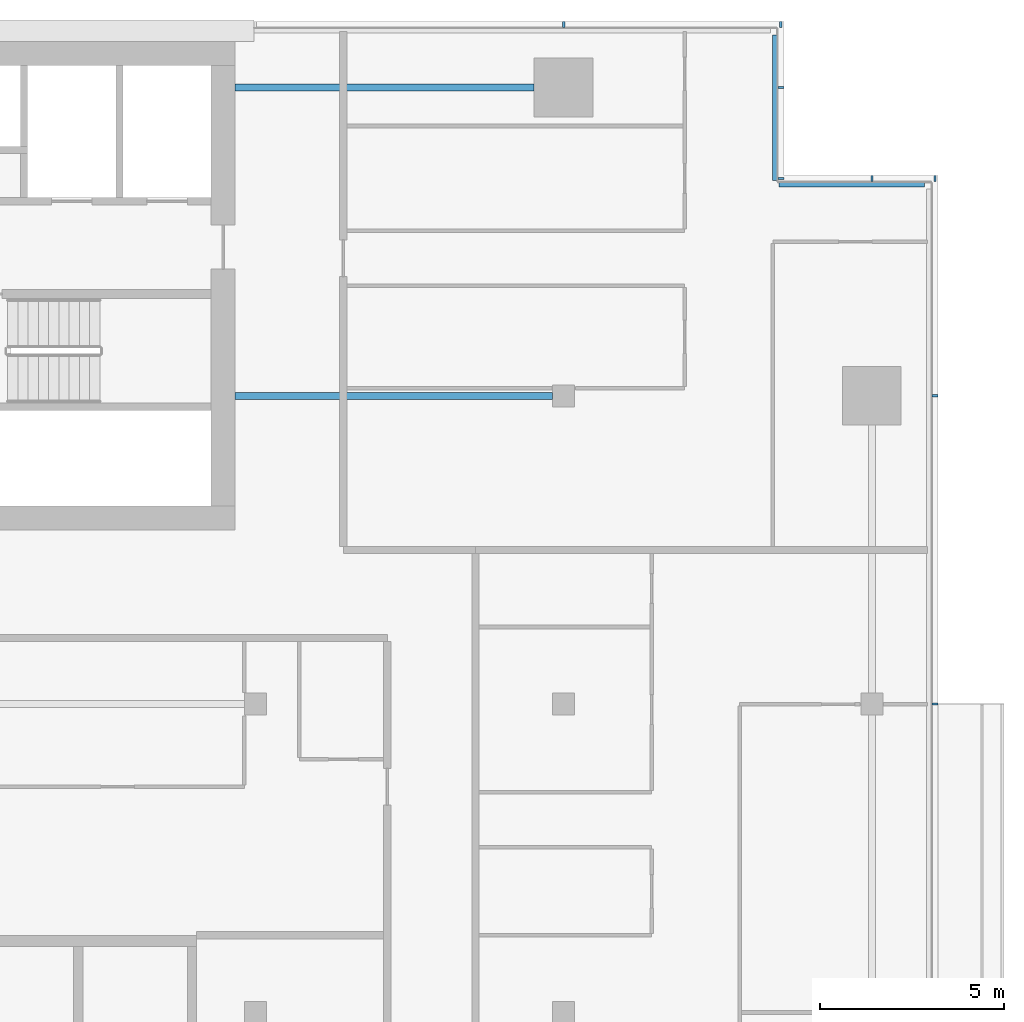
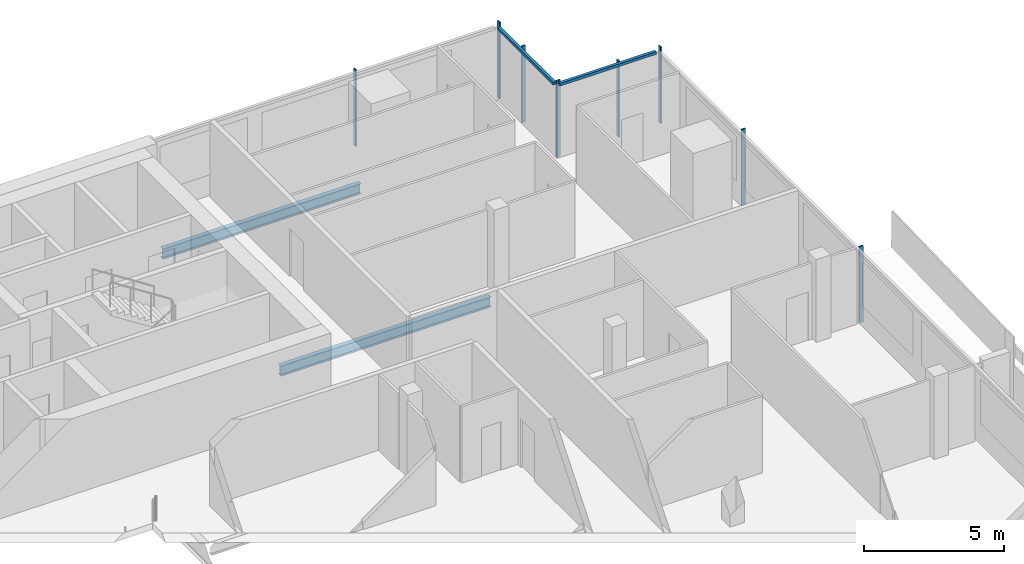
# One storey, part 14 of 29: 10 members, 2 beams, 4 elements without a shape of their own.
"""IFC4 building model written with IfcOpenShell, lengths in metres."""

from ifc_helpers import new_model, si_unit, direction, frame, origin, origin_2d, place, context, subcontext, project, spatial, rectangle, i_section, extrude, material, material_profile, profile_set, type_object, element, aggregate, save


model = new_model("IFC4")

# Units and contexts
model_context = context("Model", 3, precision=1e-05, world=origin(), true_north=direction((0.0, 1.0)))
body_context = subcontext(model_context, "Body", "Model", "MODEL_VIEW")
ifc_project = project(units=[si_unit("LENGTHUNIT", "METRE"), si_unit("AREAUNIT", "SQUARE_METRE"), si_unit("VOLUMEUNIT", "CUBIC_METRE"), si_unit("PLANEANGLEUNIT", "RADIAN"), si_unit("MASSUNIT", "GRAM", prefix="KILO")], contexts=[model_context])

# Site, building, storey
site_placement = place(None, origin())
site = spatial("IfcSite", under=ifc_project, at=site_placement, CompositionType="ELEMENT")
building_placement = place(site_placement, origin())
building = spatial("IfcBuilding", under=site, at=building_placement, Name="Saffron Gate Tower", CompositionType="ELEMENT")
storey_placement = place(building_placement, frame((0.0, 0.0, 219.89990234375)))
storey = spatial("IfcBuildingStorey", under=building, at=storey_placement, Name="L53", CompositionType="ELEMENT", Elevation=219.89990234375)

# Beams
ifc_material_1 = material(Name="Structural steel S355", Category="steel")
ifc_material_profile_1 = material_profile(ifc_material_1, i_section(OverallWidth=0.18994140625, OverallDepth=0.449951171875, WebThickness=0.009521484375, FlangeThickness=0.0146484375, FilletRadius=0.02099609375, at=origin_2d()))
ifc_profile_set_1 = profile_set([ifc_material_profile_1], Name="Structural steel S355")
beam_type = type_object("IfcBeamType", Name="B6 IPE 450", PredefinedType="BEAM", material=ifc_profile_set_1)
beam_1_placement = place(storey_placement, frame((116.699951171875, 65.39990234375, -0.5048828125), z_axis=(-1.0, 0.0, 0.0), x_axis=(0.0, -1.0, 0.0)))
element("IfcBeam", 1, at=beam_1_placement, inside=storey, type_object=beam_type, Name="B6 CORE TIE BEAM", PredefinedType="BEAM", context=body_context, shape_type="SweptSolid", body=[
    extrude(i_section(OverallWidth=0.18994140625, OverallDepth=0.449951171875, WebThickness=0.009521484375, FlangeThickness=0.0146484375, FilletRadius=0.02099609375, at=origin_2d()), origin(), (0.0, 0.0, 1.0), 8.64990234375),
])
beam_2_placement = place(storey_placement, frame((116.199951171875, 73.800048828125, -0.5048828125), z_axis=(-1.0, 0.0, 0.0), x_axis=(0.0, -1.0, 0.0)))
element("IfcBeam", 2, at=beam_2_placement, inside=storey, type_object=beam_type, Name="B6 CORE TIE BEAM", PredefinedType="BEAM", context=body_context, shape_type="SweptSolid", body=[
    extrude(i_section(OverallWidth=0.18994140625, OverallDepth=0.449951171875, WebThickness=0.009521484375, FlangeThickness=0.0146484375, FilletRadius=0.02099609375, at=origin_2d()), origin(), (0.0, 0.0, 1.0), 8.14990234375),
])

# Curtain wall, members
ifc_material_2 = material(Name="Aluminium, bronze anodised", Category="aluminium")
curtain_wall_type_1 = type_object("IfcCurtainWallType", Name="CWS2 curtain wall side facades", PredefinedType="NOTDEFINED", material=ifc_material_2)
curtain_wall_1_placement = place(storey_placement, origin())
curtain_wall_1 = element("IfcCurtainWall", 3, at=curtain_wall_1_placement, inside=storey, type_object=curtain_wall_type_1, Name="CWS2 run 4", PredefinedType="NOTDEFINED")
ifc_material_profile_2 = material_profile(ifc_material_2, rectangle(XDim=0.159912109375, YDim=0.06005859375, at=origin_2d()))
ifc_profile_set_2 = profile_set([ifc_material_profile_2], Name="Aluminium, bronze anodised")
member_type_1 = type_object("IfcMemberType", Name="CWS2 mullion 60x160", PredefinedType="MULLION", material=ifc_profile_set_2)
member_1_placement = place(storey_placement, frame((127.1201171875, 57.0, 0.0), z_axis=(0.0, 0.0, 1.0), x_axis=(-1.0, 0.0, 0.0)))
member_1 = element("IfcMember", 4, at=member_1_placement, type_object=member_type_1, Name="CWS2 mullion 4", PredefinedType="MULLION", context=body_context, shape_type="SweptSolid", body=[
    extrude(rectangle(XDim=0.159912109375, YDim=0.06005859375, at=origin_2d()), origin(), (0.0, 0.0, 1.0), 3.320068359375),
])
member_2_placement = place(storey_placement, frame((127.1201171875, 65.39990234375, 0.0), z_axis=(0.0, 0.0, 1.0), x_axis=(-1.0, 0.0, 0.0)))
member_2 = element("IfcMember", 5, at=member_2_placement, type_object=member_type_1, Name="CWS2 mullion 5", PredefinedType="MULLION", context=body_context, shape_type="SweptSolid", body=[
    extrude(rectangle(XDim=0.159912109375, YDim=0.06005859375, at=origin_2d()), origin(), (0.0, 0.0, 1.0), 3.320068359375),
])
aggregate(curtain_wall_1, [member_1, member_2])

curtain_wall_type_2 = type_object("IfcCurtainWallType", Name="CWS3 curtain wall rear facade", PredefinedType="NOTDEFINED", material=ifc_material_2)
curtain_wall_2_placement = place(storey_placement, origin())
curtain_wall_2 = element("IfcCurtainWall", 6, at=curtain_wall_2_placement, inside=storey, type_object=curtain_wall_type_2, Name="CWS3 run 7", PredefinedType="NOTDEFINED")
ifc_material_profile_3 = material_profile(ifc_material_2, rectangle(XDim=0.159912109375, YDim=0.070068359375, at=origin_2d()))
ifc_profile_set_3 = profile_set([ifc_material_profile_3], Name="Aluminium, bronze anodised")
member_type_2 = type_object("IfcMemberType", Name="CWS3 mullion 70x160", PredefinedType="MULLION", material=ifc_profile_set_3)
member_3_placement = place(storey_placement, frame((122.919921875, 75.52001953125, 0.0), z_axis=(0.0, 0.0, 1.0), x_axis=(0.0, -1.0, 0.0)))
member_3 = element("IfcMember", 7, at=member_3_placement, type_object=member_type_2, Name="CWS3 mullion 1", PredefinedType="MULLION", context=body_context, shape_type="SweptSolid", body=[
    extrude(rectangle(XDim=0.159912109375, YDim=0.070068359375, at=origin_2d()), origin(), (0.0, 0.0, 1.0), 3.320068359375),
])
member_4_placement = place(storey_placement, frame((117.0, 75.52001953125, 0.0), z_axis=(0.0, 0.0, 1.0), x_axis=(0.0, -1.0, 0.0)))
member_4 = element("IfcMember", 8, at=member_4_placement, type_object=member_type_2, Name="CWS3 mullion 2", PredefinedType="MULLION", context=body_context, shape_type="SweptSolid", body=[
    extrude(rectangle(XDim=0.159912109375, YDim=0.070068359375, at=origin_2d()), origin(), (0.0, 0.0, 1.0), 3.320068359375),
])
aggregate(curtain_wall_2, [member_3, member_4])

# Curtain wall, member
curtain_wall_type_3 = type_object("IfcCurtainWallType", Name="CWS4 curtain wall corner returns", PredefinedType="NOTDEFINED", material=ifc_material_2)
curtain_wall_3_placement = place(storey_placement, origin())
curtain_wall_3 = element("IfcCurtainWall", 9, at=curtain_wall_3_placement, inside=storey, type_object=curtain_wall_type_3, Name="CWS4 run 5", PredefinedType="NOTDEFINED")
ifc_material_profile_4 = material_profile(ifc_material_2, rectangle(XDim=0.1201171875, YDim=0.1201171875, at=origin_2d()))
ifc_profile_set_4 = profile_set([ifc_material_profile_4], Name="Aluminium, bronze anodised")
member_type_3 = type_object("IfcMemberType", Name="CWS4 head transom", PredefinedType="USERDEFINED", material=ifc_profile_set_4)
member_5_placement = place(storey_placement, frame((126.83203125, 71.152099609375, 3.260009765625), z_axis=(-1.0, 0.0, 0.0), x_axis=(0.0, -1.0, 0.0)))
member_5 = element("IfcMember", 10, at=member_5_placement, type_object=member_type_3, Name="CWS4 head transom", ObjectType="TRANSOM", PredefinedType="USERDEFINED", context=body_context, shape_type="SweptSolid", body=[
    extrude(rectangle(XDim=0.1201171875, YDim=0.1201171875, at=origin_2d()), origin(), (0.0, 0.0, 1.0), 3.9599609375),
])

curtain_wall_4_placement = place(storey_placement, origin())
curtain_wall_4 = element("IfcCurtainWall", 11, at=curtain_wall_4_placement, inside=storey, type_object=curtain_wall_type_3, Name="CWS4 run 6", PredefinedType="NOTDEFINED")
member_6_placement = place(storey_placement, frame((122.751953125, 71.27197265625, 3.260009765625), z_axis=(0.0, 1.0, 0.0), x_axis=(-1.0, 0.0, 0.0)))
member_6 = element("IfcMember", 12, at=member_6_placement, type_object=member_type_3, Name="CWS4 head transom", ObjectType="TRANSOM", PredefinedType="USERDEFINED", context=body_context, shape_type="SweptSolid", body=[
    extrude(rectangle(XDim=0.1201171875, YDim=0.1201171875, at=origin_2d()), origin(), (0.0, 0.0, 1.0), 3.9599609375),
])

# Member
ifc_material_profile_5 = material_profile(ifc_material_2, rectangle(XDim=0.159912109375, YDim=0.06005859375, at=origin_2d()))
ifc_profile_set_5 = profile_set([ifc_material_profile_5], Name="Aluminium, bronze anodised")
member_type_4 = type_object("IfcMemberType", Name="CWS4 mullion 60x160", PredefinedType="MULLION", material=ifc_profile_set_5)
member_7_placement = place(storey_placement, frame((127.1201171875, 71.320068359375, 0.0), z_axis=(0.0, 0.0, 1.0), x_axis=(0.0, -1.0, 0.0)))
member_7 = element("IfcMember", 13, at=member_7_placement, type_object=member_type_4, Name="CWS4 mullion 1", PredefinedType="MULLION", context=body_context, shape_type="SweptSolid", body=[
    extrude(rectangle(XDim=0.159912109375, YDim=0.06005859375, at=origin_2d()), origin(), (0.0, 0.0, 1.0), 3.320068359375),
])

member_8_placement = place(storey_placement, frame((125.39990234375, 71.320068359375, 0.0), z_axis=(0.0, 0.0, 1.0), x_axis=(0.0, -1.0, 0.0)))
member_8 = element("IfcMember", 14, at=member_8_placement, type_object=member_type_4, Name="CWS4 mullion 2", PredefinedType="MULLION", context=body_context, shape_type="SweptSolid", body=[
    extrude(rectangle(XDim=0.159912109375, YDim=0.06005859375, at=origin_2d()), origin(), (0.0, 0.0, 1.0), 3.320068359375),
])

aggregate(curtain_wall_3, [member_7, member_8, member_5])

member_9_placement = place(storey_placement, frame((122.919921875, 71.320068359375, 0.0), z_axis=(0.0, 0.0, 1.0), x_axis=(-1.0, 0.0, 0.0)))
member_9 = element("IfcMember", 15, at=member_9_placement, type_object=member_type_4, Name="CWS4 mullion 1", PredefinedType="MULLION", context=body_context, shape_type="SweptSolid", body=[
    extrude(rectangle(XDim=0.159912109375, YDim=0.06005859375, at=origin_2d()), origin(), (0.0, 0.0, 1.0), 3.320068359375),
])

member_10_placement = place(storey_placement, frame((122.919921875, 73.800048828125, 0.0), z_axis=(0.0, 0.0, 1.0), x_axis=(-1.0, 0.0, 0.0)))
member_10 = element("IfcMember", 16, at=member_10_placement, type_object=member_type_4, Name="CWS4 mullion 2", PredefinedType="MULLION", context=body_context, shape_type="SweptSolid", body=[
    extrude(rectangle(XDim=0.159912109375, YDim=0.06005859375, at=origin_2d()), origin(), (0.0, 0.0, 1.0), 3.320068359375),
])

aggregate(curtain_wall_4, [member_9, member_10, member_6])

save(model, "model.ifc")
